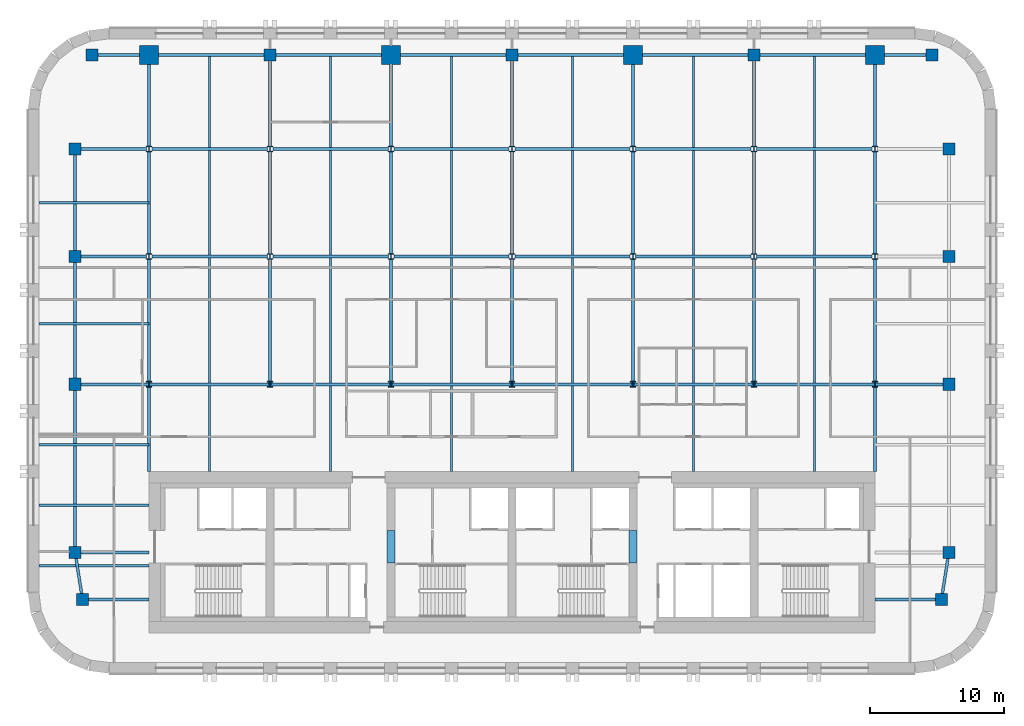
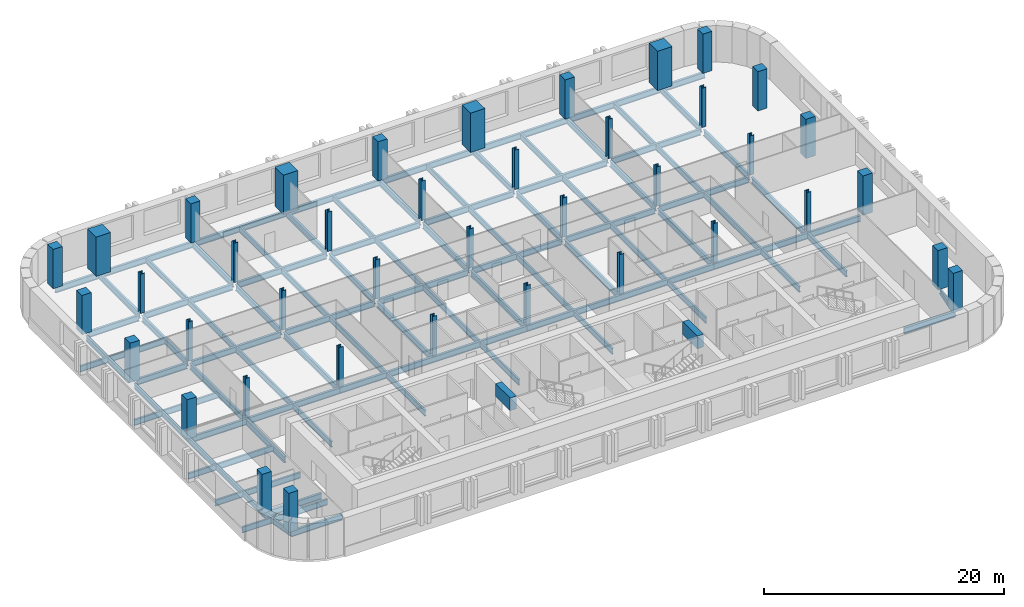
# One storey, part 1 of 11: 64 beams, 40 columns.
"""IFC4 building model written with IfcOpenShell, lengths in metres."""

from ifc_helpers import new_model, si_unit, direction, frame, origin, origin_2d, place, context, subcontext, project, spatial, rectangle, i_section, extrude, material, material_profile, profile_set, type_object, element, save


model = new_model("IFC4")

# Units and contexts
model_context = context("Model", 3, precision=1e-05, world=origin(), true_north=direction((0.0, 1.0)))
body_context = subcontext(model_context, "Body", "Model", "MODEL_VIEW")
ifc_project = project(units=[si_unit("LENGTHUNIT", "METRE"), si_unit("AREAUNIT", "SQUARE_METRE"), si_unit("VOLUMEUNIT", "CUBIC_METRE"), si_unit("PLANEANGLEUNIT", "RADIAN"), si_unit("MASSUNIT", "GRAM", prefix="KILO")], contexts=[model_context])

# Site, building, storey
site_placement = place(None, origin())
site = spatial("IfcSite", under=ifc_project, at=site_placement, CompositionType="ELEMENT")
building_placement = place(site_placement, origin())
building = spatial("IfcBuilding", under=site, at=building_placement, Name="Zellij Exchange Tower", CompositionType="ELEMENT")
storey_placement = place(building_placement, frame((0.0, 0.0, 208.5)))
storey = spatial("IfcBuildingStorey", under=building, at=storey_placement, Name="L48", CompositionType="ELEMENT", Elevation=208.5)

# Columns
ifc_material_1 = material(Name="Concrete C60/75", Category="concrete")
ifc_material_profile_1 = material_profile(ifc_material_1, rectangle(XDim=0.89990234375, YDim=0.89990234375, at=origin_2d()), Name="STR-COLUMN RC900x900 C60/75")
ifc_profile_set_1 = profile_set([ifc_material_profile_1], Name="Concrete C60/75")
column_type_1 = type_object("IfcColumnType", Name="STR-COLUMN RC900x900 C60/75", PredefinedType="COLUMN", material=ifc_profile_set_1)
for number, where, z_axis, x_axis, name in (
    (1, (-31.949951171875, -11.5, 0.0), (0.0, 0.0, 1.0), (1.0, 0.0, 0.0), "C16"),
    (2, (31.949951171875, -11.5, 0.0), (0.0, 0.0, 1.0), (1.0, 0.0, 0.0), "C16"),
    (3, (-32.5, -8.0, 0.0), (0.0, 0.0, 1.0), (1.0, 0.0, 0.0), "C16"),
    (4, (32.5, -8.0, 0.0), (0.0, 0.0, 1.0), (1.0, 0.0, 0.0), "C16"),
    (5, (-32.5, 4.5, 0.0), (0.0, 0.0, 1.0), (1.0, 0.0, 0.0), "C16"),
    (6, (32.5, 4.5, 0.0), (0.0, 0.0, 1.0), (1.0, 0.0, 0.0), "C16"),
    (7, (-32.5, 14.0, 0.0), (0.0, 0.0, 1.0), (1.0, 0.0, 0.0), "C16"),
    (8, (32.5, 14.0, 0.0), (0.0, 0.0, 1.0), (1.0, 0.0, 0.0), "C16"),
    (9, (-32.5, 22.0, 0.0), (0.0, 0.0, 1.0), (1.0, 0.0, 0.0), "C16"),
    (10, (32.5, 22.0, 0.0), (0.0, 0.0, 1.0), (1.0, 0.0, 0.0), "C16"),
    (11, (-31.25, 29.0, 0.0), (0.0, 0.0, 1.0), (1.0, 0.0, 0.0), "C16"),
    (12, (-18.0, 29.0, 0.0), (0.0, 0.0, 1.0), (1.0, 0.0, 0.0), "C16"),
    (13, (0.0, 29.0, 0.0), (0.0, 0.0, 1.0), (1.0, 0.0, 0.0), "C16"),
    (14, (18.0, 29.0, 0.0), (0.0, 0.0, 1.0), (1.0, 0.0, 0.0), "C16"),
    (15, (31.25, 29.0, 0.0), (0.0, 0.0, 1.0), (1.0, 0.0, 0.0), "C16"),
):
    element("IfcColumn", number, at=place(storey_placement, frame(where, z_axis=z_axis, x_axis=x_axis)), inside=storey, type_object=column_type_1, Name=name, PredefinedType="COLUMN", context=body_context, shape_type="SweptSolid", body=[
        extrude(rectangle(XDim=0.89990234375, YDim=0.89990234375, at=origin_2d()), origin(), (0.0, 0.0, 1.0), 4.0),
    ])
ifc_material_2 = material(Name="Structural steel ASTM A913 Gr 65", Category="steel")
ifc_material_profile_2 = material_profile(ifc_material_2, i_section(OverallWidth=0.408935546875, OverallDepth=0.424072265625, WebThickness=0.03271484375, FlangeThickness=0.052490234375, at=origin_2d()), Name="W14x283")
ifc_profile_set_2 = profile_set([ifc_material_profile_2], Name="Structural steel ASTM A913 Gr 65")
column_type_2 = type_object("IfcColumnType", Name="STR-COLUMN W14x283", PredefinedType="COLUMN", material=ifc_profile_set_2)
for number, where, z_axis, x_axis, name in (
    (16, (-27.0, 4.5, 0.0), (0.0, 0.0, 1.0), (1.0, 0.0, 0.0), "C3"),
    (17, (-18.0, 4.5, 0.0), (0.0, 0.0, 1.0), (1.0, 0.0, 0.0), "C3"),
    (18, (-9.0, 4.5, 0.0), (0.0, 0.0, 1.0), (1.0, 0.0, 0.0), "C3"),
    (19, (0.0, 4.5, 0.0), (0.0, 0.0, 1.0), (1.0, 0.0, 0.0), "C3"),
    (20, (9.0, 4.5, 0.0), (0.0, 0.0, 1.0), (1.0, 0.0, 0.0), "C3"),
    (21, (18.0, 4.5, 0.0), (0.0, 0.0, 1.0), (1.0, 0.0, 0.0), "C3"),
    (22, (27.0, 4.5, 0.0), (0.0, 0.0, 1.0), (1.0, 0.0, 0.0), "C3"),
    (23, (-27.0, 14.0, 0.0), (0.0, 0.0, 1.0), (1.0, 0.0, 0.0), "C3"),
    (24, (-18.0, 14.0, 0.0), (0.0, 0.0, 1.0), (1.0, 0.0, 0.0), "C3"),
    (25, (-9.0, 14.0, 0.0), (0.0, 0.0, 1.0), (1.0, 0.0, 0.0), "C3"),
    (26, (0.0, 14.0, 0.0), (0.0, 0.0, 1.0), (1.0, 0.0, 0.0), "C3"),
    (27, (9.0, 14.0, 0.0), (0.0, 0.0, 1.0), (1.0, 0.0, 0.0), "C3"),
    (28, (18.0, 14.0, 0.0), (0.0, 0.0, 1.0), (1.0, 0.0, 0.0), "C3"),
    (29, (27.0, 14.0, 0.0), (0.0, 0.0, 1.0), (1.0, 0.0, 0.0), "C3"),
    (30, (-27.0, 22.0, 0.0), (0.0, 0.0, 1.0), (1.0, 0.0, 0.0), "C3"),
    (31, (-18.0, 22.0, 0.0), (0.0, 0.0, 1.0), (1.0, 0.0, 0.0), "C3"),
    (32, (-9.0, 22.0, 0.0), (0.0, 0.0, 1.0), (1.0, 0.0, 0.0), "C3"),
    (33, (0.0, 22.0, 0.0), (0.0, 0.0, 1.0), (1.0, 0.0, 0.0), "C3"),
    (34, (9.0, 22.0, 0.0), (0.0, 0.0, 1.0), (1.0, 0.0, 0.0), "C3"),
    (35, (18.0, 22.0, 0.0), (0.0, 0.0, 1.0), (1.0, 0.0, 0.0), "C3"),
    (36, (27.0, 22.0, 0.0), (0.0, 0.0, 1.0), (1.0, 0.0, 0.0), "C3"),
):
    element("IfcColumn", number, at=place(storey_placement, frame(where, z_axis=z_axis, x_axis=x_axis)), inside=storey, type_object=column_type_2, Name=name, PredefinedType="COLUMN", context=body_context, shape_type="SweptSolid", body=[
        extrude(i_section(OverallWidth=0.408935546875, OverallDepth=0.424072265625, WebThickness=0.03271484375, FlangeThickness=0.052490234375, at=origin_2d()), origin(), (0.0, 0.0, 1.0), 4.0),
    ])
ifc_material_profile_3 = material_profile(ifc_material_1, rectangle(XDim=1.39990234375, YDim=1.39990234375, at=origin_2d()), Name="STR-MEGA COLUMN RC1400x1400 C60/75")
ifc_profile_set_3 = profile_set([ifc_material_profile_3], Name="Concrete C60/75")
column_type_3 = type_object("IfcColumnType", Name="STR-MEGA COLUMN RC1400x1400 C60/75", PredefinedType="COLUMN", material=ifc_profile_set_3)
for number, where, z_axis, x_axis, name in (
    (37, (-27.0, 29.0, 0.0), (0.0, 0.0, 1.0), (1.0, 0.0, 0.0), "MC3"),
    (38, (-9.0, 29.0, 0.0), (0.0, 0.0, 1.0), (1.0, 0.0, 0.0), "MC3"),
    (39, (9.0, 29.0, 0.0), (0.0, 0.0, 1.0), (1.0, 0.0, 0.0), "MC3"),
    (40, (27.0, 29.0, 0.0), (0.0, 0.0, 1.0), (1.0, 0.0, 0.0), "MC3"),
):
    element("IfcColumn", number, at=place(storey_placement, frame(where, z_axis=z_axis, x_axis=x_axis)), inside=storey, type_object=column_type_3, Name=name, PredefinedType="COLUMN", context=body_context, shape_type="SweptSolid", body=[
        extrude(rectangle(XDim=1.39990234375, YDim=1.39990234375, at=origin_2d()), origin(), (0.0, 0.0, 1.0), 4.0),
    ])

# Beams
ifc_material_profile_4 = material_profile(ifc_material_1, rectangle(XDim=0.60009765625, YDim=1.300048828125, at=origin_2d()), Name="CORE-CB 600x1300 C60/75")
ifc_profile_set_4 = profile_set([ifc_material_profile_4], Name="Concrete C60/75")
beam_type_1 = type_object("IfcBeamType", Name="CORE-CB 600x1300 C60/75", PredefinedType="BEAM", material=ifc_profile_set_4)
for number, where, z_axis, x_axis, name in (
    (41, (-9.0, -8.800048828125, 3.050048828125), (0.0, 1.0, 0.0), (-1.0, 0.0, 0.0), "Core coupling beam x -9 L48"),
    (42, (9.0, -8.800048828125, 3.050048828125), (0.0, 1.0, 0.0), (-1.0, 0.0, 0.0), "Core coupling beam x 9 L48"),
):
    element("IfcBeam", number, at=place(storey_placement, frame(where, z_axis=z_axis, x_axis=x_axis)), inside=storey, type_object=beam_type_1, Name=name, PredefinedType="BEAM", context=body_context, shape_type="SweptSolid", body=[
        extrude(rectangle(XDim=0.60009765625, YDim=1.300048828125, at=origin_2d()), origin(), (0.0, 0.0, 1.0), 2.425048828125),
    ])
ifc_material_3 = material(Name="Structural steel ASTM A992 Gr 50", Category="steel")
ifc_material_profile_5 = material_profile(ifc_material_3, i_section(OverallWidth=0.177978515625, OverallDepth=0.599365234375, WebThickness=0.010009765625, FlangeThickness=0.012939453125, at=origin_2d()), Name="W24x55")
ifc_profile_set_5 = profile_set([ifc_material_profile_5], Name="Structural steel ASTM A992 Gr 50")
beam_type_2 = type_object("IfcBeamType", Name="STR-BEAM W24x55", PredefinedType="BEAM", material=ifc_profile_set_5)
for number, where, z_axis, x_axis, name in (
    (43, (-22.5, -2.0, -0.499755859375), (0.0, 1.0, 0.0), (-1.0, 0.0, 0.0), "B4"),
    (44, (-13.5, -2.0, -0.499755859375), (0.0, 1.0, 0.0), (-1.0, 0.0, 0.0), "B4"),
    (45, (-4.5, -2.0, -0.499755859375), (0.0, 1.0, 0.0), (-1.0, 0.0, 0.0), "B4"),
    (46, (4.5, -2.0, -0.499755859375), (0.0, 1.0, 0.0), (-1.0, 0.0, 0.0), "B4"),
    (47, (13.5, -2.0, -0.499755859375), (0.0, 1.0, 0.0), (-1.0, 0.0, 0.0), "B4"),
    (48, (22.5, -2.0, -0.499755859375), (0.0, 1.0, 0.0), (-1.0, 0.0, 0.0), "B4"),
):
    element("IfcBeam", number, at=place(storey_placement, frame(where, z_axis=z_axis, x_axis=x_axis)), inside=storey, type_object=beam_type_2, Name=name, PredefinedType="BEAM", context=body_context, shape_type="SweptSolid", body=[
        extrude(i_section(OverallWidth=0.177978515625, OverallDepth=0.599365234375, WebThickness=0.010009765625, FlangeThickness=0.012939453125, at=origin_2d()), origin(), (0.0, 0.0, 1.0), 31.1142578125),
    ])
for number, where, z_axis, x_axis, name in (
    (49, (-35.199951171875, -9.0, -0.499755859375), (1.0, 0.0, 0.0), (0.0, 1.0, 0.0), "B4"),
    (50, (-35.199951171875, -4.5, -0.499755859375), (1.0, 0.0, 0.0), (0.0, 1.0, 0.0), "B4"),
    (51, (-35.199951171875, 0.0, -0.499755859375), (1.0, 0.0, 0.0), (0.0, 1.0, 0.0), "B4"),
    (52, (-35.199951171875, 9.0, -0.499755859375), (1.0, 0.0, 0.0), (0.0, 1.0, 0.0), "B4"),
    (53, (-35.199951171875, 18.0, -0.499755859375), (1.0, 0.0, 0.0), (0.0, 1.0, 0.0), "B4"),
):
    element("IfcBeam", number, at=place(storey_placement, frame(where, z_axis=z_axis, x_axis=x_axis)), inside=storey, type_object=beam_type_2, Name=name, PredefinedType="BEAM", context=body_context, shape_type="SweptSolid", body=[
        extrude(i_section(OverallWidth=0.177978515625, OverallDepth=0.599365234375, WebThickness=0.010009765625, FlangeThickness=0.012939453125, at=origin_2d()), origin(), (0.0, 0.0, 1.0), 8.199951171875),
    ])
ifc_material_profile_6 = material_profile(ifc_material_3, i_section(OverallWidth=0.209228515625, OverallDepth=0.533447265625, WebThickness=0.01025390625, FlangeThickness=0.015625, at=origin_2d()), Name="W21x62")
ifc_profile_set_6 = profile_set([ifc_material_profile_6], Name="Structural steel ASTM A992 Gr 50")
beam_type_3 = type_object("IfcBeamType", Name="STR-EDGE GIRDER W21x62", PredefinedType="BEAM", material=ifc_profile_set_6)
beam_1_placement = place(storey_placement, frame((-31.949951171875, -11.5, -0.466796875), z_axis=(-0.155251283593, 0.987875011802, 0.0), x_axis=(-0.987875011802, -0.155251283593, 0.0)))
element("IfcBeam", 54, at=beam_1_placement, inside=storey, type_object=beam_type_3, Name="EB3", PredefinedType="BEAM", context=body_context, shape_type="SweptSolid", body=[
    extrude(i_section(OverallWidth=0.209228515625, OverallDepth=0.533447265625, WebThickness=0.01025390625, FlangeThickness=0.015625, at=origin_2d()), origin(), (0.0, 0.0, 1.0), 3.54296875),
])
beam_2_placement = place(storey_placement, frame((-32.5, -8.0, -0.466796875), z_axis=(0.0, 1.0, 0.0), x_axis=(-1.0, 0.0, 0.0)))
element("IfcBeam", 55, at=beam_2_placement, inside=storey, type_object=beam_type_3, Name="EB3", PredefinedType="BEAM", context=body_context, shape_type="SweptSolid", body=[
    extrude(i_section(OverallWidth=0.209228515625, OverallDepth=0.533447265625, WebThickness=0.01025390625, FlangeThickness=0.015625, at=origin_2d()), origin(), (0.0, 0.0, 1.0), 12.5),
])
beam_3_placement = place(storey_placement, frame((-32.5, 4.5, -0.466796875), z_axis=(0.0, 1.0, 0.0), x_axis=(-1.0, 0.0, 0.0)))
element("IfcBeam", 56, at=beam_3_placement, inside=storey, type_object=beam_type_3, Name="EB3", PredefinedType="BEAM", context=body_context, shape_type="SweptSolid", body=[
    extrude(i_section(OverallWidth=0.209228515625, OverallDepth=0.533447265625, WebThickness=0.01025390625, FlangeThickness=0.015625, at=origin_2d()), origin(), (0.0, 0.0, 1.0), 9.050048828125),
])
beam_4_placement = place(storey_placement, frame((-32.5, 14.449951171875, -0.466796875), z_axis=(0.0, 1.0, 0.0), x_axis=(-1.0, 0.0, 0.0)))
element("IfcBeam", 57, at=beam_4_placement, inside=storey, type_object=beam_type_3, Name="EB3", PredefinedType="BEAM", context=body_context, shape_type="SweptSolid", body=[
    extrude(i_section(OverallWidth=0.209228515625, OverallDepth=0.533447265625, WebThickness=0.01025390625, FlangeThickness=0.015625, at=origin_2d()), origin(), (0.0, 0.0, 1.0), 7.10009765625),
])
beam_5_placement = place(storey_placement, frame((31.949951171875, -11.5, -0.466796875), z_axis=(0.155251283593, 0.987875011802, 0.0), x_axis=(-0.987875011802, 0.155251283593, 0.0)))
element("IfcBeam", 58, at=beam_5_placement, inside=storey, type_object=beam_type_3, Name="EB3", PredefinedType="BEAM", context=body_context, shape_type="SweptSolid", body=[
    extrude(i_section(OverallWidth=0.209228515625, OverallDepth=0.533447265625, WebThickness=0.01025390625, FlangeThickness=0.015625, at=origin_2d()), origin(), (0.0, 0.0, 1.0), 3.54296875),
])
ifc_material_profile_7 = material_profile(ifc_material_3, i_section(OverallWidth=0.228271484375, OverallDepth=0.607177734375, WebThickness=0.01123046875, FlangeThickness=0.017333984375, at=origin_2d()), Name="W24x76")
ifc_profile_set_7 = profile_set([ifc_material_profile_7], Name="Structural steel ASTM A992 Gr 50")
beam_type_4 = type_object("IfcBeamType", Name="STR-GIRDER W24x76", PredefinedType="BEAM", material=ifc_profile_set_7)
for number, where, z_axis, x_axis, name in (
    (59, (-31.949951171875, -11.5, -0.50341796875), (1.0, 0.0, 0.0), (0.0, 1.0, 0.0), "G2"),
    (60, (27.0, -11.5, -0.50341796875), (1.0, 0.0, 0.0), (0.0, 1.0, 0.0), "G2"),
):
    element("IfcBeam", number, at=place(storey_placement, frame(where, z_axis=z_axis, x_axis=x_axis)), inside=storey, type_object=beam_type_4, Name=name, PredefinedType="BEAM", context=body_context, shape_type="SweptSolid", body=[
        extrude(i_section(OverallWidth=0.228271484375, OverallDepth=0.607177734375, WebThickness=0.01123046875, FlangeThickness=0.017333984375, at=origin_2d()), origin(), (0.0, 0.0, 1.0), 4.949951171875),
    ])
beam_6_placement = place(storey_placement, frame((-32.5, -8.0, -0.50341796875), z_axis=(1.0, 0.0, 0.0), x_axis=(0.0, 1.0, 0.0)))
element("IfcBeam", 61, at=beam_6_placement, inside=storey, type_object=beam_type_4, Name="G2", PredefinedType="BEAM", context=body_context, shape_type="SweptSolid", body=[
    extrude(i_section(OverallWidth=0.228271484375, OverallDepth=0.607177734375, WebThickness=0.01123046875, FlangeThickness=0.017333984375, at=origin_2d()), origin(), (0.0, 0.0, 1.0), 5.5),
])
beam_7_placement = place(storey_placement, frame((-32.5, 4.5, -0.50341796875), z_axis=(1.0, 0.0, 0.0), x_axis=(0.0, 1.0, 0.0)))
element("IfcBeam", 62, at=beam_7_placement, inside=storey, type_object=beam_type_4, Name="G2", PredefinedType="BEAM", context=body_context, shape_type="SweptSolid", body=[
    extrude(i_section(OverallWidth=0.228271484375, OverallDepth=0.607177734375, WebThickness=0.01123046875, FlangeThickness=0.017333984375, at=origin_2d()), origin(), (0.0, 0.0, 1.0), 14.5),
])
for number, where, z_axis, x_axis, name in (
    (63, (-18.0, 4.5, -0.50341796875), (1.0, 0.0, 0.0), (0.0, 1.0, 0.0), "G2"),
    (64, (0.0, 4.5, -0.50341796875), (1.0, 0.0, 0.0), (0.0, 1.0, 0.0), "G2"),
):
    element("IfcBeam", number, at=place(storey_placement, frame(where, z_axis=z_axis, x_axis=x_axis)), inside=storey, type_object=beam_type_4, Name=name, PredefinedType="BEAM", context=body_context, shape_type="SweptSolid", body=[
        extrude(i_section(OverallWidth=0.228271484375, OverallDepth=0.607177734375, WebThickness=0.01123046875, FlangeThickness=0.017333984375, at=origin_2d()), origin(), (0.0, 0.0, 1.0), 18.0),
    ])
beam_8_placement = place(storey_placement, frame((18.0, 4.5, -0.50341796875), z_axis=(1.0, 0.0, 0.0), x_axis=(0.0, 1.0, 0.0)))
element("IfcBeam", 65, at=beam_8_placement, inside=storey, type_object=beam_type_4, Name="G2", PredefinedType="BEAM", context=body_context, shape_type="SweptSolid", body=[
    extrude(i_section(OverallWidth=0.228271484375, OverallDepth=0.607177734375, WebThickness=0.01123046875, FlangeThickness=0.017333984375, at=origin_2d()), origin(), (0.0, 0.0, 1.0), 14.050048828125),
])
beam_9_placement = place(storey_placement, frame((-32.050048828125, 14.0, -0.50341796875), z_axis=(1.0, 0.0, 0.0), x_axis=(0.0, 1.0, 0.0)))
element("IfcBeam", 66, at=beam_9_placement, inside=storey, type_object=beam_type_4, Name="G2", PredefinedType="BEAM", context=body_context, shape_type="SweptSolid", body=[
    extrude(i_section(OverallWidth=0.228271484375, OverallDepth=0.607177734375, WebThickness=0.01123046875, FlangeThickness=0.017333984375, at=origin_2d()), origin(), (0.0, 0.0, 1.0), 4.845458984375),
])
for number, where, z_axis, x_axis, name in (
    (67, (-26.79541015625, 14.0, -0.50341796875), (1.0, 0.0, 0.0), (0.0, 1.0, 0.0), "G2"),
    (68, (-17.79541015625, 14.0, -0.50341796875), (1.0, 0.0, 0.0), (0.0, 1.0, 0.0), "G2"),
    (69, (-8.79541015625, 14.0, -0.50341796875), (1.0, 0.0, 0.0), (0.0, 1.0, 0.0), "G2"),
    (70, (0.20458984375, 14.0, -0.50341796875), (1.0, 0.0, 0.0), (0.0, 1.0, 0.0), "G2"),
    (71, (9.20458984375, 14.0, -0.50341796875), (1.0, 0.0, 0.0), (0.0, 1.0, 0.0), "G2"),
    (72, (18.20458984375, 14.0, -0.50341796875), (1.0, 0.0, 0.0), (0.0, 1.0, 0.0), "G2"),
):
    element("IfcBeam", number, at=place(storey_placement, frame(where, z_axis=z_axis, x_axis=x_axis)), inside=storey, type_object=beam_type_4, Name=name, PredefinedType="BEAM", context=body_context, shape_type="SweptSolid", body=[
        extrude(i_section(OverallWidth=0.228271484375, OverallDepth=0.607177734375, WebThickness=0.01123046875, FlangeThickness=0.017333984375, at=origin_2d()), origin(), (0.0, 0.0, 1.0), 8.5908203125),
    ])
beam_10_placement = place(storey_placement, frame((-32.050048828125, 22.0, -0.50341796875), z_axis=(1.0, 0.0, 0.0), x_axis=(0.0, 1.0, 0.0)))
element("IfcBeam", 73, at=beam_10_placement, inside=storey, type_object=beam_type_4, Name="G2", PredefinedType="BEAM", context=body_context, shape_type="SweptSolid", body=[
    extrude(i_section(OverallWidth=0.228271484375, OverallDepth=0.607177734375, WebThickness=0.01123046875, FlangeThickness=0.017333984375, at=origin_2d()), origin(), (0.0, 0.0, 1.0), 4.845458984375),
])
for number, where, z_axis, x_axis, name in (
    (74, (-26.79541015625, 22.0, -0.50341796875), (1.0, 0.0, 0.0), (0.0, 1.0, 0.0), "G2"),
    (75, (-17.79541015625, 22.0, -0.50341796875), (1.0, 0.0, 0.0), (0.0, 1.0, 0.0), "G2"),
    (76, (-8.79541015625, 22.0, -0.50341796875), (1.0, 0.0, 0.0), (0.0, 1.0, 0.0), "G2"),
    (77, (0.20458984375, 22.0, -0.50341796875), (1.0, 0.0, 0.0), (0.0, 1.0, 0.0), "G2"),
    (78, (9.20458984375, 22.0, -0.50341796875), (1.0, 0.0, 0.0), (0.0, 1.0, 0.0), "G2"),
    (79, (18.20458984375, 22.0, -0.50341796875), (1.0, 0.0, 0.0), (0.0, 1.0, 0.0), "G2"),
):
    element("IfcBeam", number, at=place(storey_placement, frame(where, z_axis=z_axis, x_axis=x_axis)), inside=storey, type_object=beam_type_4, Name=name, PredefinedType="BEAM", context=body_context, shape_type="SweptSolid", body=[
        extrude(i_section(OverallWidth=0.228271484375, OverallDepth=0.607177734375, WebThickness=0.01123046875, FlangeThickness=0.017333984375, at=origin_2d()), origin(), (0.0, 0.0, 1.0), 8.5908203125),
    ])
beam_11_placement = place(storey_placement, frame((-31.25, 29.0, -0.50341796875), z_axis=(1.0, 0.0, 0.0), x_axis=(0.0, 1.0, 0.0)))
element("IfcBeam", 80, at=beam_11_placement, inside=storey, type_object=beam_type_4, Name="G2", PredefinedType="BEAM", context=body_context, shape_type="SweptSolid", body=[
    extrude(i_section(OverallWidth=0.228271484375, OverallDepth=0.607177734375, WebThickness=0.01123046875, FlangeThickness=0.017333984375, at=origin_2d()), origin(), (0.0, 0.0, 1.0), 13.25),
])
for number, where, z_axis, x_axis, name in (
    (81, (-18.0, 29.0, -0.50341796875), (1.0, 0.0, 0.0), (0.0, 1.0, 0.0), "G2"),
    (82, (0.0, 29.0, -0.50341796875), (1.0, 0.0, 0.0), (0.0, 1.0, 0.0), "G2"),
):
    element("IfcBeam", number, at=place(storey_placement, frame(where, z_axis=z_axis, x_axis=x_axis)), inside=storey, type_object=beam_type_4, Name=name, PredefinedType="BEAM", context=body_context, shape_type="SweptSolid", body=[
        extrude(i_section(OverallWidth=0.228271484375, OverallDepth=0.607177734375, WebThickness=0.01123046875, FlangeThickness=0.017333984375, at=origin_2d()), origin(), (0.0, 0.0, 1.0), 18.0),
    ])
beam_12_placement = place(storey_placement, frame((18.0, 29.0, -0.50341796875), z_axis=(1.0, 0.0, 0.0), x_axis=(0.0, 1.0, 0.0)))
element("IfcBeam", 83, at=beam_12_placement, inside=storey, type_object=beam_type_4, Name="G2", PredefinedType="BEAM", context=body_context, shape_type="SweptSolid", body=[
    extrude(i_section(OverallWidth=0.228271484375, OverallDepth=0.607177734375, WebThickness=0.01123046875, FlangeThickness=0.017333984375, at=origin_2d()), origin(), (0.0, 0.0, 1.0), 13.25),
])
beam_13_placement = place(storey_placement, frame((-27.0, -2.0, -0.50341796875), z_axis=(0.0, 1.0, 0.0), x_axis=(-1.0, 0.0, 0.0)))
element("IfcBeam", 84, at=beam_13_placement, inside=storey, type_object=beam_type_4, Name="G2", PredefinedType="BEAM", context=body_context, shape_type="SweptSolid", body=[
    extrude(i_section(OverallWidth=0.228271484375, OverallDepth=0.607177734375, WebThickness=0.01123046875, FlangeThickness=0.017333984375, at=origin_2d()), origin(), (0.0, 0.0, 1.0), 15.787841796875),
])
beam_14_placement = place(storey_placement, frame((-27.0, 14.212158203125, -0.50341796875), z_axis=(0.0, 1.0, 0.0), x_axis=(-1.0, 0.0, 0.0)))
element("IfcBeam", 85, at=beam_14_placement, inside=storey, type_object=beam_type_4, Name="G2", PredefinedType="BEAM", context=body_context, shape_type="SweptSolid", body=[
    extrude(i_section(OverallWidth=0.228271484375, OverallDepth=0.607177734375, WebThickness=0.01123046875, FlangeThickness=0.017333984375, at=origin_2d()), origin(), (0.0, 0.0, 1.0), 7.57568359375),
])
beam_15_placement = place(storey_placement, frame((-27.0, 22.212158203125, -0.50341796875), z_axis=(0.0, 1.0, 0.0), x_axis=(-1.0, 0.0, 0.0)))
element("IfcBeam", 86, at=beam_15_placement, inside=storey, type_object=beam_type_4, Name="G2", PredefinedType="BEAM", context=body_context, shape_type="SweptSolid", body=[
    extrude(i_section(OverallWidth=0.228271484375, OverallDepth=0.607177734375, WebThickness=0.01123046875, FlangeThickness=0.017333984375, at=origin_2d()), origin(), (0.0, 0.0, 1.0), 6.787841796875),
])
beam_16_placement = place(storey_placement, frame((-18.0, 4.5, -0.50341796875), z_axis=(0.0, 1.0, 0.0), x_axis=(-1.0, 0.0, 0.0)))
element("IfcBeam", 87, at=beam_16_placement, inside=storey, type_object=beam_type_4, Name="G2", PredefinedType="BEAM", context=body_context, shape_type="SweptSolid", body=[
    extrude(i_section(OverallWidth=0.228271484375, OverallDepth=0.607177734375, WebThickness=0.01123046875, FlangeThickness=0.017333984375, at=origin_2d()), origin(), (0.0, 0.0, 1.0), 9.287841796875),
])
beam_17_placement = place(storey_placement, frame((-18.0, 14.212158203125, -0.50341796875), z_axis=(0.0, 1.0, 0.0), x_axis=(-1.0, 0.0, 0.0)))
element("IfcBeam", 88, at=beam_17_placement, inside=storey, type_object=beam_type_4, Name="G2", PredefinedType="BEAM", context=body_context, shape_type="SweptSolid", body=[
    extrude(i_section(OverallWidth=0.228271484375, OverallDepth=0.607177734375, WebThickness=0.01123046875, FlangeThickness=0.017333984375, at=origin_2d()), origin(), (0.0, 0.0, 1.0), 7.57568359375),
])
beam_18_placement = place(storey_placement, frame((-18.0, 22.212158203125, -0.50341796875), z_axis=(0.0, 1.0, 0.0), x_axis=(-1.0, 0.0, 0.0)))
element("IfcBeam", 89, at=beam_18_placement, inside=storey, type_object=beam_type_4, Name="G2", PredefinedType="BEAM", context=body_context, shape_type="SweptSolid", body=[
    extrude(i_section(OverallWidth=0.228271484375, OverallDepth=0.607177734375, WebThickness=0.01123046875, FlangeThickness=0.017333984375, at=origin_2d()), origin(), (0.0, 0.0, 1.0), 6.787841796875),
])
beam_19_placement = place(storey_placement, frame((-9.0, 4.5, -0.50341796875), z_axis=(0.0, 1.0, 0.0), x_axis=(-1.0, 0.0, 0.0)))
element("IfcBeam", 90, at=beam_19_placement, inside=storey, type_object=beam_type_4, Name="G2", PredefinedType="BEAM", context=body_context, shape_type="SweptSolid", body=[
    extrude(i_section(OverallWidth=0.228271484375, OverallDepth=0.607177734375, WebThickness=0.01123046875, FlangeThickness=0.017333984375, at=origin_2d()), origin(), (0.0, 0.0, 1.0), 9.287841796875),
])
beam_20_placement = place(storey_placement, frame((-9.0, 14.212158203125, -0.50341796875), z_axis=(0.0, 1.0, 0.0), x_axis=(-1.0, 0.0, 0.0)))
element("IfcBeam", 91, at=beam_20_placement, inside=storey, type_object=beam_type_4, Name="G2", PredefinedType="BEAM", context=body_context, shape_type="SweptSolid", body=[
    extrude(i_section(OverallWidth=0.228271484375, OverallDepth=0.607177734375, WebThickness=0.01123046875, FlangeThickness=0.017333984375, at=origin_2d()), origin(), (0.0, 0.0, 1.0), 7.57568359375),
])
beam_21_placement = place(storey_placement, frame((-9.0, 22.212158203125, -0.50341796875), z_axis=(0.0, 1.0, 0.0), x_axis=(-1.0, 0.0, 0.0)))
element("IfcBeam", 92, at=beam_21_placement, inside=storey, type_object=beam_type_4, Name="G2", PredefinedType="BEAM", context=body_context, shape_type="SweptSolid", body=[
    extrude(i_section(OverallWidth=0.228271484375, OverallDepth=0.607177734375, WebThickness=0.01123046875, FlangeThickness=0.017333984375, at=origin_2d()), origin(), (0.0, 0.0, 1.0), 6.787841796875),
])
beam_22_placement = place(storey_placement, frame((0.0, 4.5, -0.50341796875), z_axis=(0.0, 1.0, 0.0), x_axis=(-1.0, 0.0, 0.0)))
element("IfcBeam", 93, at=beam_22_placement, inside=storey, type_object=beam_type_4, Name="G2", PredefinedType="BEAM", context=body_context, shape_type="SweptSolid", body=[
    extrude(i_section(OverallWidth=0.228271484375, OverallDepth=0.607177734375, WebThickness=0.01123046875, FlangeThickness=0.017333984375, at=origin_2d()), origin(), (0.0, 0.0, 1.0), 9.287841796875),
])
beam_23_placement = place(storey_placement, frame((0.0, 14.212158203125, -0.50341796875), z_axis=(0.0, 1.0, 0.0), x_axis=(-1.0, 0.0, 0.0)))
element("IfcBeam", 94, at=beam_23_placement, inside=storey, type_object=beam_type_4, Name="G2", PredefinedType="BEAM", context=body_context, shape_type="SweptSolid", body=[
    extrude(i_section(OverallWidth=0.228271484375, OverallDepth=0.607177734375, WebThickness=0.01123046875, FlangeThickness=0.017333984375, at=origin_2d()), origin(), (0.0, 0.0, 1.0), 7.57568359375),
])
beam_24_placement = place(storey_placement, frame((0.0, 22.212158203125, -0.50341796875), z_axis=(0.0, 1.0, 0.0), x_axis=(-1.0, 0.0, 0.0)))
element("IfcBeam", 95, at=beam_24_placement, inside=storey, type_object=beam_type_4, Name="G2", PredefinedType="BEAM", context=body_context, shape_type="SweptSolid", body=[
    extrude(i_section(OverallWidth=0.228271484375, OverallDepth=0.607177734375, WebThickness=0.01123046875, FlangeThickness=0.017333984375, at=origin_2d()), origin(), (0.0, 0.0, 1.0), 6.787841796875),
])
beam_25_placement = place(storey_placement, frame((9.0, 4.5, -0.50341796875), z_axis=(0.0, 1.0, 0.0), x_axis=(-1.0, 0.0, 0.0)))
element("IfcBeam", 96, at=beam_25_placement, inside=storey, type_object=beam_type_4, Name="G2", PredefinedType="BEAM", context=body_context, shape_type="SweptSolid", body=[
    extrude(i_section(OverallWidth=0.228271484375, OverallDepth=0.607177734375, WebThickness=0.01123046875, FlangeThickness=0.017333984375, at=origin_2d()), origin(), (0.0, 0.0, 1.0), 9.287841796875),
])
beam_26_placement = place(storey_placement, frame((9.0, 14.212158203125, -0.50341796875), z_axis=(0.0, 1.0, 0.0), x_axis=(-1.0, 0.0, 0.0)))
element("IfcBeam", 97, at=beam_26_placement, inside=storey, type_object=beam_type_4, Name="G2", PredefinedType="BEAM", context=body_context, shape_type="SweptSolid", body=[
    extrude(i_section(OverallWidth=0.228271484375, OverallDepth=0.607177734375, WebThickness=0.01123046875, FlangeThickness=0.017333984375, at=origin_2d()), origin(), (0.0, 0.0, 1.0), 7.57568359375),
])
beam_27_placement = place(storey_placement, frame((9.0, 22.212158203125, -0.50341796875), z_axis=(0.0, 1.0, 0.0), x_axis=(-1.0, 0.0, 0.0)))
element("IfcBeam", 98, at=beam_27_placement, inside=storey, type_object=beam_type_4, Name="G2", PredefinedType="BEAM", context=body_context, shape_type="SweptSolid", body=[
    extrude(i_section(OverallWidth=0.228271484375, OverallDepth=0.607177734375, WebThickness=0.01123046875, FlangeThickness=0.017333984375, at=origin_2d()), origin(), (0.0, 0.0, 1.0), 6.787841796875),
])
beam_28_placement = place(storey_placement, frame((18.0, 4.5, -0.50341796875), z_axis=(0.0, 1.0, 0.0), x_axis=(-1.0, 0.0, 0.0)))
element("IfcBeam", 99, at=beam_28_placement, inside=storey, type_object=beam_type_4, Name="G2", PredefinedType="BEAM", context=body_context, shape_type="SweptSolid", body=[
    extrude(i_section(OverallWidth=0.228271484375, OverallDepth=0.607177734375, WebThickness=0.01123046875, FlangeThickness=0.017333984375, at=origin_2d()), origin(), (0.0, 0.0, 1.0), 9.287841796875),
])
beam_29_placement = place(storey_placement, frame((18.0, 14.212158203125, -0.50341796875), z_axis=(0.0, 1.0, 0.0), x_axis=(-1.0, 0.0, 0.0)))
element("IfcBeam", 100, at=beam_29_placement, inside=storey, type_object=beam_type_4, Name="G2", PredefinedType="BEAM", context=body_context, shape_type="SweptSolid", body=[
    extrude(i_section(OverallWidth=0.228271484375, OverallDepth=0.607177734375, WebThickness=0.01123046875, FlangeThickness=0.017333984375, at=origin_2d()), origin(), (0.0, 0.0, 1.0), 7.57568359375),
])
beam_30_placement = place(storey_placement, frame((18.0, 22.212158203125, -0.50341796875), z_axis=(0.0, 1.0, 0.0), x_axis=(-1.0, 0.0, 0.0)))
element("IfcBeam", 101, at=beam_30_placement, inside=storey, type_object=beam_type_4, Name="G2", PredefinedType="BEAM", context=body_context, shape_type="SweptSolid", body=[
    extrude(i_section(OverallWidth=0.228271484375, OverallDepth=0.607177734375, WebThickness=0.01123046875, FlangeThickness=0.017333984375, at=origin_2d()), origin(), (0.0, 0.0, 1.0), 6.787841796875),
])
beam_31_placement = place(storey_placement, frame((27.0, -2.0, -0.50341796875), z_axis=(0.0, 1.0, 0.0), x_axis=(-1.0, 0.0, 0.0)))
element("IfcBeam", 102, at=beam_31_placement, inside=storey, type_object=beam_type_4, Name="G2", PredefinedType="BEAM", context=body_context, shape_type="SweptSolid", body=[
    extrude(i_section(OverallWidth=0.228271484375, OverallDepth=0.607177734375, WebThickness=0.01123046875, FlangeThickness=0.017333984375, at=origin_2d()), origin(), (0.0, 0.0, 1.0), 15.787841796875),
])
beam_32_placement = place(storey_placement, frame((27.0, 14.212158203125, -0.50341796875), z_axis=(0.0, 1.0, 0.0), x_axis=(-1.0, 0.0, 0.0)))
element("IfcBeam", 103, at=beam_32_placement, inside=storey, type_object=beam_type_4, Name="G2", PredefinedType="BEAM", context=body_context, shape_type="SweptSolid", body=[
    extrude(i_section(OverallWidth=0.228271484375, OverallDepth=0.607177734375, WebThickness=0.01123046875, FlangeThickness=0.017333984375, at=origin_2d()), origin(), (0.0, 0.0, 1.0), 7.57568359375),
])
beam_33_placement = place(storey_placement, frame((27.0, 22.212158203125, -0.50341796875), z_axis=(0.0, 1.0, 0.0), x_axis=(-1.0, 0.0, 0.0)))
element("IfcBeam", 104, at=beam_33_placement, inside=storey, type_object=beam_type_4, Name="G2", PredefinedType="BEAM", context=body_context, shape_type="SweptSolid", body=[
    extrude(i_section(OverallWidth=0.228271484375, OverallDepth=0.607177734375, WebThickness=0.01123046875, FlangeThickness=0.017333984375, at=origin_2d()), origin(), (0.0, 0.0, 1.0), 6.787841796875),
])

save(model, "model.ifc")
